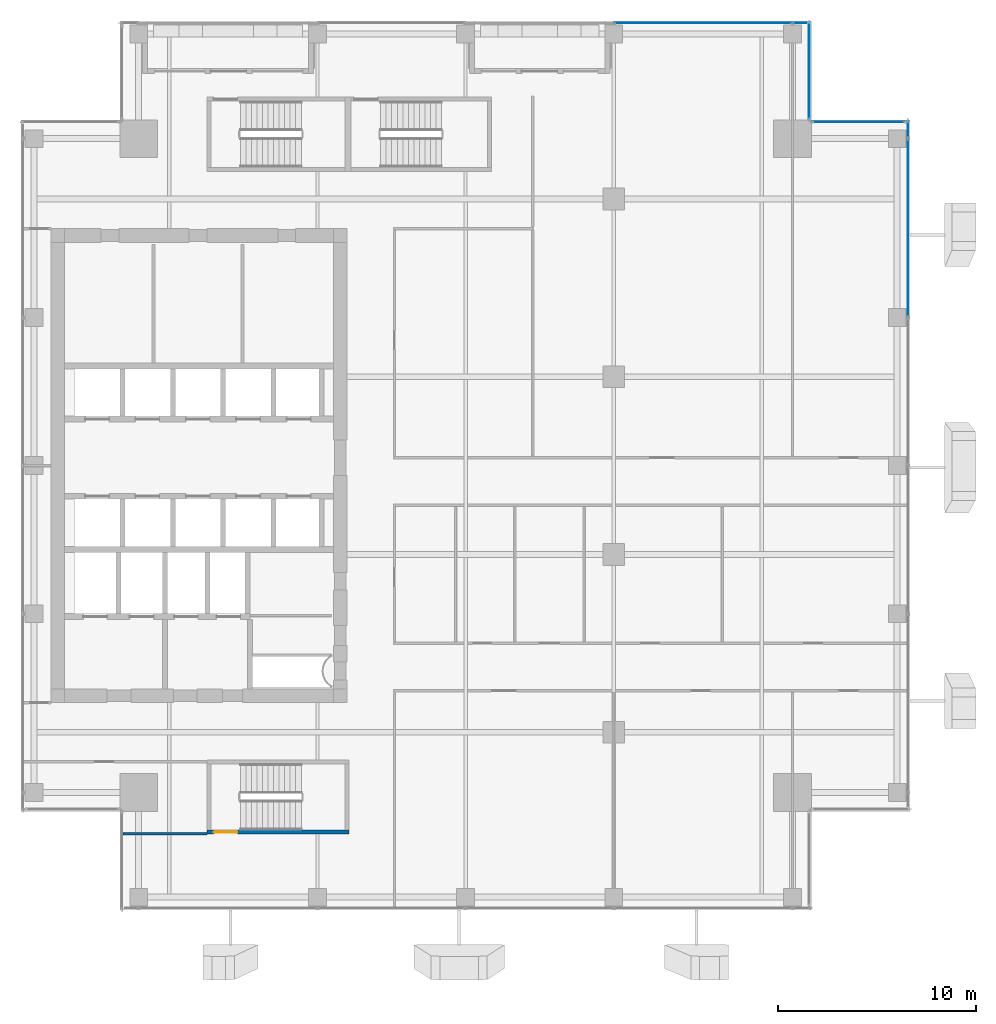
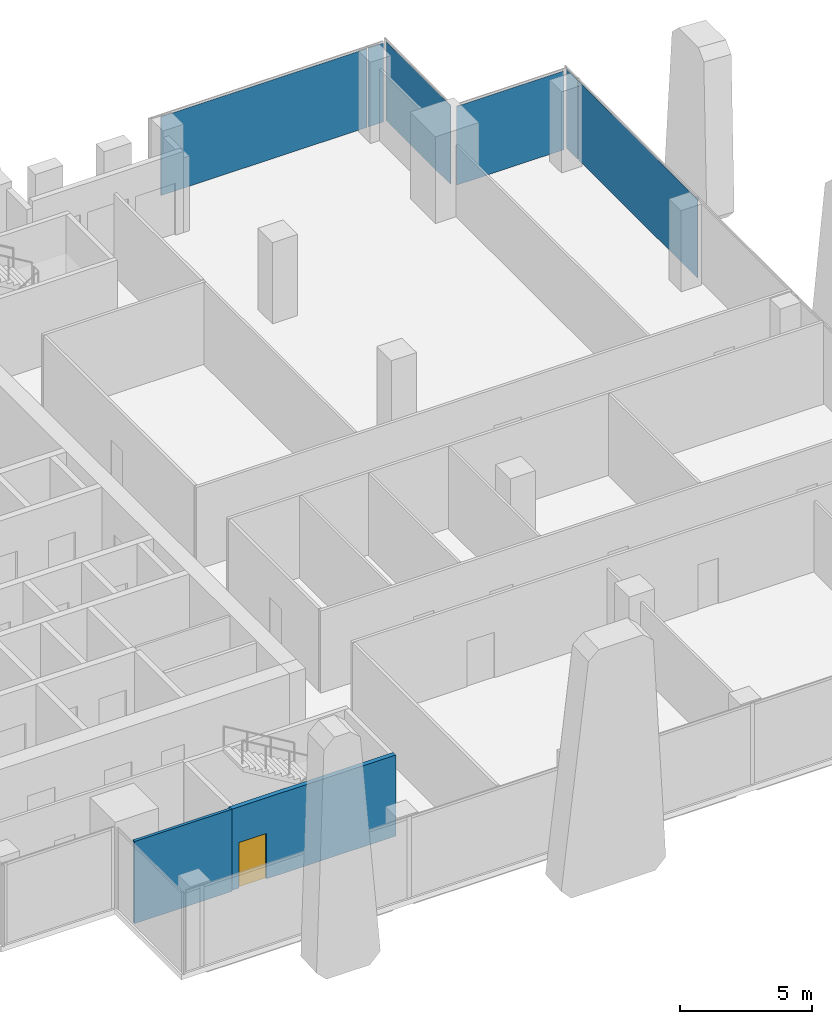
# One storey, part 30 of 36: 6 plates, 2 walls, 1 door, 1 opening, 4 elements without a shape of their own.
"""IFC4 building model written with IfcOpenShell, lengths in metres."""

from ifc_helpers import new_model, si_unit, direction, frame, frame_2d, origin, origin_2d, place, context, subcontext, project, spatial, rectangle, extrude, source, transform, mapped, material, layer, layer_set, type_object, element, fill, aggregate, save


model = new_model("IFC4")

# Units and contexts
model_context = context("Model", 3, precision=1e-05, world=origin(), true_north=direction((0.0, 1.0)))
body_context = subcontext(model_context, "Body", "Model", "MODEL_VIEW")
ifc_project = project(units=[si_unit("LENGTHUNIT", "METRE"), si_unit("AREAUNIT", "SQUARE_METRE"), si_unit("VOLUMEUNIT", "CUBIC_METRE"), si_unit("PLANEANGLEUNIT", "RADIAN"), si_unit("MASSUNIT", "GRAM", prefix="KILO")], contexts=[model_context])

# Site, building, storey
site_placement = place(None, origin())
site = spatial("IfcSite", under=ifc_project, at=site_placement, CompositionType="ELEMENT")
building_placement = place(site_placement, origin())
building = spatial("IfcBuilding", under=site, at=building_placement, Name="Khomas Fold Tower", CompositionType="ELEMENT")
storey_placement = place(building_placement, frame((0.0, 0.0, 238.199951171875)))
storey = spatial("IfcBuildingStorey", under=building, at=storey_placement, Name="L53", CompositionType="ELEMENT", Elevation=238.199951171875)

# Curtain wall, plate
ifc_material_1 = material(Name="Aluminium framed double glazing", Category="aluminium")
curtain_wall_type = type_object("IfcCurtainWallType", Name="SK-Unitised clear-glass wall, office floors CW2", PredefinedType="NOTDEFINED", material=ifc_material_1)
curtain_wall_1_placement = place(storey_placement, origin())
curtain_wall_1 = element("IfcCurtainWall", 1, at=curtain_wall_1_placement, inside=storey, type_object=curtain_wall_type, Name="CW2 run L53 06-0", PredefinedType="NOTDEFINED")
ifc_material_2 = material(Name="Clear double glazed unit")
ifc_layer_1 = layer(ifc_material_2, 0.030029296875)
ifc_layer_set_1 = layer_set([ifc_layer_1], Name="Clear double glazed unit")
plate_type = type_object("IfcPlateType", Name="SK-Unitised clear-glass wall, office floors glass panel CW2-P", PredefinedType="CURTAIN_PANEL", material=ifc_layer_set_1)
shared_shape_1 = source(origin(), body_context, "Body", "SweptSolid", [
    extrude(rectangle(XDim=0.659912109375, YDim=0.030029296875, at=origin_2d()), origin(), (0.0, 0.0, 1.0), 3.639892578125),
])
plate_1_placement = place(storey_placement, frame((43.909912109375, 49.39990234375, 0.0), z_axis=(0.0, 0.0, 1.0), x_axis=(-1.0, 0.0, 0.0)))
plate_1 = element("IfcPlate", 2, at=plate_1_placement, type_object=plate_type, Name="CW2 glass panel 1", PredefinedType="CURTAIN_PANEL", context=body_context, shape_type="MappedRepresentation", body=[
    mapped(shared_shape_1, transform((0.0, 0.0, 0.0))),
])

# Curtain wall, plates
curtain_wall_2_placement = place(storey_placement, origin())
curtain_wall_2 = element("IfcCurtainWall", 3, at=curtain_wall_2_placement, inside=storey, type_object=curtain_wall_type, Name="CW2 run L53 03-0", PredefinedType="NOTDEFINED")
shared_shape_2 = source(origin(), body_context, "Body", "SweptSolid", [
    extrude(rectangle(XDim=0.860107421875, YDim=0.030029296875, at=origin_2d()), origin(), (0.0, 0.0, 1.0), 3.639892578125),
])
plate_2_placement = place(storey_placement, frame((49.39990234375, 44.010009765625, 0.0), z_axis=(0.0, 0.0, 1.0), x_axis=(0.0, 1.0, 0.0)))
plate_2 = element("IfcPlate", 4, at=plate_2_placement, type_object=plate_type, Name="CW2 glass panel 6", PredefinedType="CURTAIN_PANEL", context=body_context, shape_type="MappedRepresentation", body=[
    mapped(shared_shape_2, transform((0.0, 0.0, 0.0))),
])
shared_shape_3 = source(origin(), body_context, "Body", "SweptSolid", [
    extrude(rectangle(XDim=8.989990234375, YDim=0.030029296875, at=origin_2d()), origin(), (0.0, 0.0, 1.0), 3.639892578125),
])
plate_3_placement = place(storey_placement, frame((49.39990234375, 39.02490234375, 0.0), z_axis=(0.0, 0.0, 1.0), x_axis=(0.0, 1.0, 0.0)))
plate_3 = element("IfcPlate", 5, at=plate_3_placement, type_object=plate_type, Name="CW2 glass panel 5", PredefinedType="CURTAIN_PANEL", context=body_context, shape_type="MappedRepresentation", body=[
    mapped(shared_shape_3, transform((0.0, 0.0, 0.0))),
])
aggregate(curtain_wall_2, [plate_3, plate_2])

# Plate
plate_4_placement = place(storey_placement, frame((39.02490234375, 49.39990234375, 0.0), z_axis=(0.0, 0.0, 1.0), x_axis=(-1.0, 0.0, 0.0)))
plate_4 = element("IfcPlate", 6, at=plate_4_placement, type_object=plate_type, Name="CW2 glass panel 2", PredefinedType="CURTAIN_PANEL", context=body_context, shape_type="MappedRepresentation", body=[
    mapped(shared_shape_3, transform((0.0, 0.0, 0.0))),
])

aggregate(curtain_wall_1, [plate_1, plate_4])

# Curtain wall, plate
curtain_wall_3_placement = place(storey_placement, origin())
curtain_wall_3 = element("IfcCurtainWall", 7, at=curtain_wall_3_placement, inside=storey, type_object=curtain_wall_type, Name="CW2 corner return L53 04", PredefinedType="NOTDEFINED")
shared_shape_4 = source(origin(), body_context, "Body", "SweptSolid", [
    extrude(rectangle(XDim=4.679931640625, YDim=0.030029296875, at=origin_2d()), origin(), (0.0, 0.0, 1.0), 3.639892578125),
])
plate_5_placement = place(storey_placement, frame((46.89990234375, 44.39990234375, 0.0), z_axis=(0.0, 0.0, 1.0), x_axis=(-1.0, 0.0, 0.0)))
plate_5 = element("IfcPlate", 8, at=plate_5_placement, type_object=plate_type, Name="CW2 glass panel 1", PredefinedType="CURTAIN_PANEL", context=body_context, shape_type="MappedRepresentation", body=[
    mapped(shared_shape_4, transform((0.0, 0.0, 0.0))),
])
aggregate(curtain_wall_3, [plate_5])

curtain_wall_4_placement = place(storey_placement, origin())
curtain_wall_4 = element("IfcCurtainWall", 9, at=curtain_wall_4_placement, inside=storey, type_object=curtain_wall_type, Name="CW2 corner return L53 05", PredefinedType="NOTDEFINED")
shared_shape_5 = source(origin(), body_context, "Body", "SweptSolid", [
    extrude(rectangle(XDim=4.8798828125, YDim=0.030029296875, at=origin_2d()), origin(), (0.0, 0.0, 1.0), 3.639892578125),
])
plate_6_placement = place(storey_placement, frame((44.39990234375, 47.0, 0.0), z_axis=(0.0, 0.0, 1.0), x_axis=(0.0, 1.0, 0.0)))
plate_6 = element("IfcPlate", 10, at=plate_6_placement, type_object=plate_type, Name="CW2 glass panel 1", PredefinedType="CURTAIN_PANEL", context=body_context, shape_type="MappedRepresentation", body=[
    mapped(shared_shape_5, transform((0.0, 0.0, 0.0))),
])
aggregate(curtain_wall_4, [plate_6])

# Wall, opening, door
ifc_material_3 = material(Name="Concrete C50/60", Category="concrete")
ifc_layer_2 = layer(ifc_material_3, 0.199951171875)
ifc_layer_set_2 = layer_set([ifc_layer_2], Name="Concrete C50/60")
wall_type_1 = type_object("IfcWallType", Name="Stair wall 200", PredefinedType="SHEAR", material=ifc_layer_set_2)
shared_shape_6 = source(origin(), body_context, "Body", "SweptSolid", [
    extrude(rectangle(XDim=7.2001953125, YDim=0.199951171875, at=frame_2d((3.60009765625, 0.0))), origin(), (0.0, 0.0, 1.0), 3.75),
])
wall_1_placement = place(storey_placement, frame((13.89990234375, 8.449951171875, 0.0), z_axis=(0.0, 0.0, 1.0), x_axis=(1.0, 0.0, 0.0)))
wall_1 = element("IfcWall", 11, at=wall_1_placement, inside=storey, type_object=wall_type_1, Name="Stair wall SW-ST2-S", PredefinedType="SHEAR", context=body_context, shape_type="MappedRepresentation", body=[
    mapped(shared_shape_6, transform((0.0, 0.0, 0.0))),
])
shared_shape_7 = source(origin(), body_context, "Body", "SweptSolid", [
    extrude(rectangle(XDim=1.199951171875, YDim=2.10009765625, at=frame_2d((0.60009765625, 1.050048828125))), frame((0.0, 0.10986328125, 0.0), z_axis=(0.0, -1.0, 0.0), x_axis=(1.0, 0.0, 0.0)), (0.0, 0.0, 1.0), 0.219970703125),
])
opening_placement = place(wall_1_placement, frame((0.35009765625, 0.0, 0.0)))
opening = element("IfcOpeningElement", 12, at=opening_placement, cuts=wall_1, Name="Opening SD-ST2", PredefinedType="OPENING", context=body_context, shape_type="MappedRepresentation", body=[
    mapped(shared_shape_7, transform((0.0, 0.0, 0.0))),
])
ifc_material_4 = material(Name="Steel door leaf", Category="steel")
door_type = type_object("IfcDoorType", Name="Stair door 1200x2100 right-hand", OperationType="SINGLE_SWING_RIGHT", PredefinedType="DOOR", material=ifc_material_4)
shared_shape_8 = source(origin(), body_context, "Body", "SweptSolid", [
    extrude(rectangle(XDim=1.199951171875, YDim=2.10009765625, at=frame_2d((0.60009765625, 1.050048828125))), frame((0.0, 0.02490234375, 0.0), z_axis=(0.0, -1.0, 0.0), x_axis=(1.0, 0.0, 0.0)), (0.0, 0.0, 1.0), 0.050048828125),
])
door_placement = place(opening_placement, origin())
door = element("IfcDoor", 13, at=door_placement, inside=storey, type_object=door_type, Name="Stair door", OperationType="SINGLE_SWING_RIGHT", OverallHeight=2.10009765625, OverallWidth=1.199951171875, PredefinedType="DOOR", context=body_context, shape_type="MappedRepresentation", body=[
    mapped(shared_shape_8, transform((0.0, 0.0, 0.0))),
])
fill(opening, door)

# Wall
ifc_material_5 = material(Name="Plasterboard partition")
ifc_layer_3 = layer(ifc_material_5, 0.125)
ifc_layer_set_3 = layer_set([ifc_layer_3], Name="Plasterboard partition")
wall_type_2 = type_object("IfcWallType", Name="Partition PW2 125", PredefinedType="PARTITIONING", material=ifc_layer_set_3)
shared_shape_9 = source(origin(), body_context, "Body", "SweptSolid", [
    extrude(rectangle(XDim=4.25, YDim=0.125, at=frame_2d((2.125, 0.0))), origin(), (0.0, 0.0, 1.0), 3.800048828125),
])
wall_2_placement = place(storey_placement, frame((9.64990234375, 8.35009765625, 0.0), z_axis=(0.0, 0.0, 1.0), x_axis=(1.0, 0.0, 0.0)))
element("IfcWall", 14, at=wall_2_placement, inside=storey, type_object=wall_type_2, Name="Partition", PredefinedType="PARTITIONING", context=body_context, shape_type="MappedRepresentation", body=[
    mapped(shared_shape_9, transform((0.0, 0.0, 0.0))),
])

save(model, "model.ifc")
